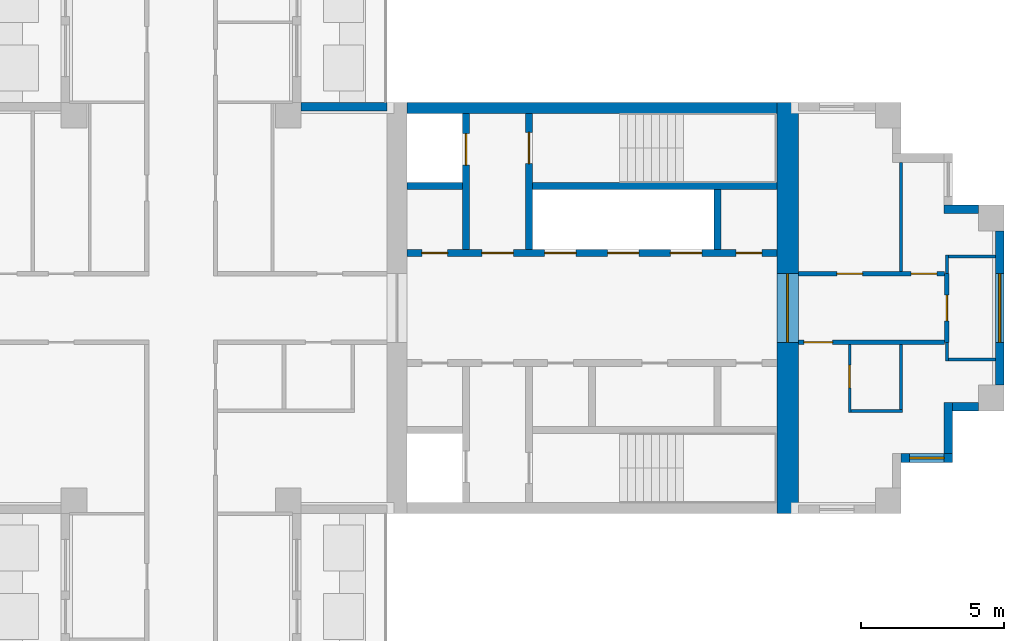
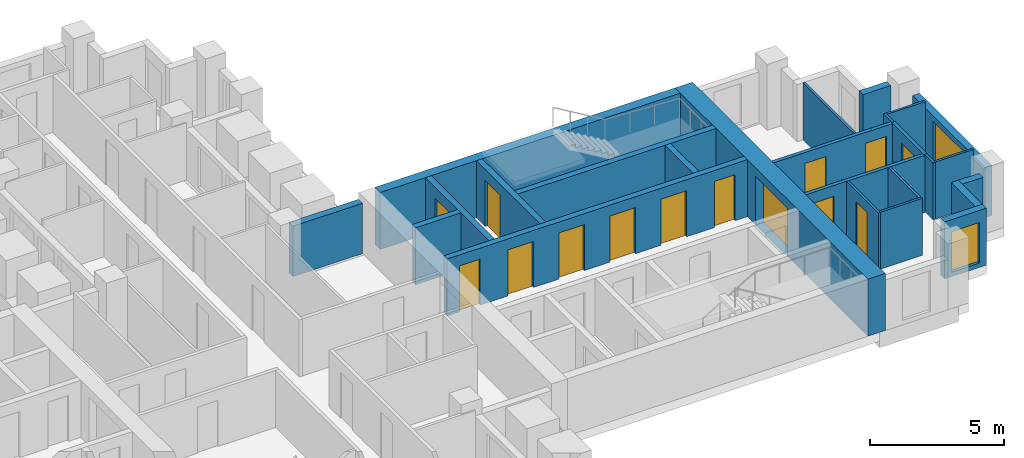
# One storey, part 6 of 10: 25 walls, 14 doors, 2 windows, 16 openings.
"""IFC4 building model written with IfcOpenShell, lengths in metres."""

from ifc_helpers import new_model, si_unit, direction, frame, frame_2d, origin, place, context, subcontext, project, spatial, rectangle, extrude, material, layer, layer_set, type_object, element, fill, save


model = new_model("IFC4")

# Units and contexts
model_context = context("Model", 3, precision=1e-05, world=origin(), true_north=direction((0.0, 1.0)))
body_context = subcontext(model_context, "Body", "Model", "MODEL_VIEW")
ifc_project = project(units=[si_unit("LENGTHUNIT", "METRE"), si_unit("AREAUNIT", "SQUARE_METRE"), si_unit("VOLUMEUNIT", "CUBIC_METRE"), si_unit("PLANEANGLEUNIT", "RADIAN"), si_unit("MASSUNIT", "GRAM", prefix="KILO")], contexts=[model_context])

# Site, building, storey
site_placement = place(None, origin())
site = spatial("IfcSite", under=ifc_project, at=site_placement, CompositionType="ELEMENT")
building_placement = place(site_placement, origin())
building = spatial("IfcBuilding", under=site, at=building_placement, Name="Fustian Cross Tower", CompositionType="ELEMENT")
storey_placement = place(building_placement, frame((0.0, 0.0, 207.89990234375)))
storey = spatial("IfcBuildingStorey", under=building, at=storey_placement, Name="L65", CompositionType="ELEMENT", Elevation=207.89990234375)

# Wall, opening, door
ifc_material_1 = material(Name="Plasterboard on steel stud", Category="steel")
ifc_layer_1 = layer(ifc_material_1, 0.14990234375)
ifc_layer_set_1 = layer_set([ifc_layer_1], Name="Plasterboard on steel stud")
wall_type_1 = type_object("IfcWallType", Name="COMPARTMENT WALL 150 EI 60", PredefinedType="PARTITIONING", material=ifc_layer_set_1)
wall_1_placement = place(storey_placement, frame((21.60009765625, -1.199951171875, 0.0), z_axis=(0.0, 0.0, 1.0), x_axis=(1.0, 0.0, 0.0)))
wall_1 = element("IfcWall", 1, at=wall_1_placement, inside=storey, type_object=wall_type_1, Name="Partition 52", PredefinedType="PARTITIONING", context=body_context, shape_type="SweptSolid", body=[
    extrude(rectangle(XDim=5.125, YDim=0.14990234375, at=frame_2d((2.5625, 0.0))), origin(), (0.0, 0.0, 1.0), 2.60009765625),
])
opening_1_placement = place(wall_1_placement, frame((0.199951171875, 0.0, 0.0)))
opening_1 = element("IfcOpeningElement", 2, at=opening_1_placement, cuts=wall_1, Name="Opening D30014", PredefinedType="OPENING", context=body_context, shape_type="SweptSolid", body=[
    extrude(rectangle(XDim=1.0, YDim=2.10009765625, at=frame_2d((0.5, 1.050048828125))), frame((0.0, 0.0849609375, 0.0), z_axis=(0.0, -1.0, 0.0), x_axis=(1.0, 0.0, 0.0)), (0.0, 0.0, 1.0), 0.169921875),
])
ifc_material_2 = material(Name="Timber fire door set", Category="wood")
door_type_1 = type_object("IfcDoorType", Name="FIRE SWING DOOR 1000 FD30S", OperationType="SINGLE_SWING_LEFT", PredefinedType="DOOR", material=ifc_material_2)
door_1_placement = place(opening_1_placement, frame((1.0, 0.0, 0.0), z_axis=(0.0, 0.0, 1.0), x_axis=(-1.0, 0.0, 0.0)))
door_1 = element("IfcDoor", 3, at=door_1_placement, inside=storey, type_object=door_type_1, Name="Door D30014", OperationType="SINGLE_SWING_RIGHT", OverallHeight=2.10009765625, OverallWidth=1.0, PredefinedType="DOOR", context=body_context, shape_type="SweptSolid", body=[
    extrude(rectangle(XDim=1.0, YDim=2.10009765625, at=frame_2d((0.5, 1.050048828125))), frame((0.0, 0.02490234375, 0.0), z_axis=(0.0, -1.0, 0.0), x_axis=(1.0, 0.0, 0.0)), (0.0, 0.0, 1.0), 0.050048828125),
])
fill(opening_1, door_1)

# Wall, openings, doors
wall_2_placement = place(storey_placement, frame((21.60009765625, 1.199951171875, 0.0), z_axis=(0.0, 0.0, 1.0), x_axis=(1.0, 0.0, 0.0)))
wall_2 = element("IfcWall", 4, at=wall_2_placement, inside=storey, type_object=wall_type_1, Name="Partition 53", PredefinedType="PARTITIONING", context=body_context, shape_type="SweptSolid", body=[
    extrude(rectangle(XDim=5.125, YDim=0.14990234375, at=frame_2d((2.5625, 0.0))), origin(), (0.0, 0.0, 1.0), 2.60009765625),
])
opening_2_placement = place(wall_2_placement, frame((1.35009765625, 0.0, 0.0)))
opening_2 = element("IfcOpeningElement", 5, at=opening_2_placement, cuts=wall_2, Name="Opening D30011", PredefinedType="OPENING", context=body_context, shape_type="SweptSolid", body=[
    extrude(rectangle(XDim=0.89990234375, YDim=2.10009765625, at=frame_2d((0.449951171875, 1.050048828125))), frame((0.0, 0.0849609375, 0.0), z_axis=(0.0, -1.0, 0.0), x_axis=(1.0, 0.0, 0.0)), (0.0, 0.0, 1.0), 0.169921875),
])
opening_3_placement = place(wall_2_placement, frame((3.949951171875, 0.0, 0.0)))
opening_3 = element("IfcOpeningElement", 6, at=opening_3_placement, cuts=wall_2, Name="Opening D30012", PredefinedType="OPENING", context=body_context, shape_type="SweptSolid", body=[
    extrude(rectangle(XDim=0.89990234375, YDim=2.10009765625, at=frame_2d((0.449951171875, 1.050048828125))), frame((0.0, 0.0849609375, 0.0), z_axis=(0.0, -1.0, 0.0), x_axis=(1.0, 0.0, 0.0)), (0.0, 0.0, 1.0), 0.169921875),
])
ifc_material_3 = material(Name="Timber fire door set", Category="wood")
door_type_2 = type_object("IfcDoorType", Name="FIRE SWING DOOR 900 FD30S", OperationType="SINGLE_SWING_LEFT", PredefinedType="DOOR", material=ifc_material_3)
door_2_placement = place(opening_2_placement, origin())
door_2 = element("IfcDoor", 7, at=door_2_placement, inside=storey, type_object=door_type_2, Name="Door D30011", OperationType="SINGLE_SWING_LEFT", OverallHeight=2.10009765625, OverallWidth=0.89990234375, PredefinedType="DOOR", context=body_context, shape_type="SweptSolid", body=[
    extrude(rectangle(XDim=0.89990234375, YDim=2.10009765625, at=frame_2d((0.449951171875, 1.050048828125))), frame((0.0, 0.02490234375, 0.0), z_axis=(0.0, -1.0, 0.0), x_axis=(1.0, 0.0, 0.0)), (0.0, 0.0, 1.0), 0.050048828125),
])
fill(opening_2, door_2)
door_3_placement = place(opening_3_placement, origin())
door_3 = element("IfcDoor", 8, at=door_3_placement, inside=storey, type_object=door_type_2, Name="Door D30012", OperationType="SINGLE_SWING_LEFT", OverallHeight=2.10009765625, OverallWidth=0.89990234375, PredefinedType="DOOR", context=body_context, shape_type="SweptSolid", body=[
    extrude(rectangle(XDim=0.89990234375, YDim=2.10009765625, at=frame_2d((0.449951171875, 1.050048828125))), frame((0.0, 0.02490234375, 0.0), z_axis=(0.0, -1.0, 0.0), x_axis=(1.0, 0.0, 0.0)), (0.0, 0.0, 1.0), 0.050048828125),
])
fill(opening_3, door_3)

# Wall, opening, door
wall_3_placement = place(storey_placement, frame((26.800048828125, -1.199951171875, 0.0), z_axis=(0.0, 0.0, 1.0), x_axis=(0.0, 1.0, 0.0)))
wall_3 = element("IfcWall", 9, at=wall_3_placement, inside=storey, type_object=wall_type_1, Name="Partition 60", PredefinedType="PARTITIONING", context=body_context, shape_type="SweptSolid", body=[
    extrude(rectangle(XDim=2.39990234375, YDim=0.14990234375, at=frame_2d((1.199951171875, 0.0))), origin(), (0.0, 0.0, 1.0), 2.60009765625),
])
opening_4_placement = place(wall_3_placement, frame((0.75, 0.0, 0.0)))
opening_4 = element("IfcOpeningElement", 10, at=opening_4_placement, cuts=wall_3, Name="Opening D30010", PredefinedType="OPENING", context=body_context, shape_type="SweptSolid", body=[
    extrude(rectangle(XDim=0.89990234375, YDim=2.10009765625, at=frame_2d((0.449951171875, 1.050048828125))), frame((0.0, 0.0849609375, 0.0), z_axis=(0.0, -1.0, 0.0), x_axis=(1.0, 0.0, 0.0)), (0.0, 0.0, 1.0), 0.169921875),
])
door_4_placement = place(opening_4_placement, frame((0.89990234375, 0.0, 0.0), z_axis=(0.0, 0.0, 1.0), x_axis=(-1.0, 0.0, 0.0)))
door_4 = element("IfcDoor", 11, at=door_4_placement, inside=storey, type_object=door_type_2, Name="Door D30010", OperationType="SINGLE_SWING_RIGHT", OverallHeight=2.10009765625, OverallWidth=0.89990234375, PredefinedType="DOOR", context=body_context, shape_type="SweptSolid", body=[
    extrude(rectangle(XDim=0.89990234375, YDim=2.10009765625, at=frame_2d((0.449951171875, 1.050048828125))), frame((0.0, 0.02490234375, 0.0), z_axis=(0.0, -1.0, 0.0), x_axis=(1.0, 0.0, 0.0)), (0.0, 0.0, 1.0), 0.050048828125),
])
fill(opening_4, door_4)

ifc_material_4 = material(Name="Concrete C50/60", Category="concrete")
ifc_layer_2 = layer(ifc_material_4, 0.75)
ifc_layer_set_2 = layer_set([ifc_layer_2], Name="Concrete C50/60")
wall_type_2 = type_object("IfcWallType", Name="CORE END WALL 750 C50/60", PredefinedType="SHEAR", material=ifc_layer_set_2)
wall_4_placement = place(storey_placement, frame((21.22509765625, -7.199951171875, 0.0), z_axis=(0.0, 0.0, 1.0), x_axis=(0.0, 1.0, 0.0)))
wall_4 = element("IfcWall", 12, at=wall_4_placement, inside=storey, type_object=wall_type_2, Name="Core end wall", PredefinedType="SHEAR", context=body_context, shape_type="SweptSolid", body=[
    extrude(rectangle(XDim=14.39990234375, YDim=0.75, at=frame_2d((7.199951171875, 0.0))), origin(), (0.0, 0.0, 1.0), 2.60009765625),
])
opening_5_placement = place(wall_4_placement, frame((6.0, 0.0, 0.0)))
opening_5 = element("IfcOpeningElement", 13, at=opening_5_placement, cuts=wall_4, Name="Opening CD-28-13", PredefinedType="OPENING", context=body_context, shape_type="SweptSolid", body=[
    extrude(rectangle(XDim=2.39990234375, YDim=2.199951171875, at=frame_2d((1.199951171875, 1.10009765625))), frame((0.0, 0.385009765625, 0.0), z_axis=(0.0, -1.0, 0.0), x_axis=(1.0, 0.0, 0.0)), (0.0, 0.0, 1.0), 0.77001953125),
])
ifc_material_5 = material(Name="Steel", Category="steel")
door_type_3 = type_object("IfcDoorType", Name="FIRE DOOR FD30S DOUBLE 2400X2200", OperationType="DOUBLE_DOOR_DOUBLE_SWING", PredefinedType="DOOR", material=ifc_material_5)
door_5_placement = place(opening_5_placement, origin())
door_5 = element("IfcDoor", 14, at=door_5_placement, inside=storey, type_object=door_type_3, Name="Core door CD-28-13", OperationType="DOUBLE_DOOR_DOUBLE_SWING", OverallHeight=2.199951171875, OverallWidth=2.39990234375, PredefinedType="DOOR", context=body_context, shape_type="SweptSolid", body=[
    extrude(rectangle(XDim=2.39990234375, YDim=2.199951171875, at=frame_2d((1.199951171875, 1.10009765625))), frame((0.0, 0.02490234375, 0.0), z_axis=(0.0, -1.0, 0.0), x_axis=(1.0, 0.0, 0.0)), (0.0, 0.0, 1.0), 0.050048828125),
])
fill(opening_5, door_5)

# Wall
ifc_material_6 = material(Name="Concrete C50/60", Category="concrete")
ifc_layer_3 = layer(ifc_material_6, 0.39990234375)
ifc_layer_set_3 = layer_set([ifc_layer_3], Name="Concrete C50/60")
wall_type_3 = type_object("IfcWallType", Name="CORE FACADE WALL 400 C50/60", PredefinedType="SHEAR", material=ifc_layer_set_3)
wall_5_placement = place(storey_placement, frame((7.89990234375, 7.0, 0.0), z_axis=(0.0, 0.0, 1.0), x_axis=(1.0, 0.0, 0.0)))
element("IfcWall", 15, at=wall_5_placement, inside=storey, type_object=wall_type_3, Name="Core facade wall", PredefinedType="SHEAR", context=body_context, shape_type="SweptSolid", body=[
    extrude(rectangle(XDim=12.9501953125, YDim=0.39990234375, at=frame_2d((6.47509765625, 0.0))), origin(), (0.0, 0.0, 1.0), 2.60009765625),
])

# Wall, openings, doors
ifc_material_7 = material(Name="Concrete C50/60", Category="concrete")
ifc_layer_4 = layer(ifc_material_7, 0.25)
ifc_layer_set_4 = layer_set([ifc_layer_4], Name="Concrete C50/60")
wall_type_4 = type_object("IfcWallType", Name="CORE LOBBY WALL 250 C50/60", PredefinedType="SHEAR", material=ifc_layer_set_4)
wall_6_placement = place(storey_placement, frame((7.89990234375, 1.925048828125, 0.0), z_axis=(0.0, 0.0, 1.0), x_axis=(1.0, 0.0, 0.0)))
wall_6 = element("IfcWall", 16, at=wall_6_placement, inside=storey, type_object=wall_type_4, Name="Core lobby wall", PredefinedType="SHEAR", context=body_context, shape_type="SweptSolid", body=[
    extrude(rectangle(XDim=12.9501953125, YDim=0.25, at=frame_2d((6.47509765625, 0.0))), origin(), (0.0, 0.0, 1.0), 2.60009765625),
])
opening_6_placement = place(wall_6_placement, frame((4.824951171875, 0.0, 0.0)))
opening_6 = element("IfcOpeningElement", 17, at=opening_6_placement, cuts=wall_6, Name="Opening LD", PredefinedType="OPENING", context=body_context, shape_type="SweptSolid", body=[
    extrude(rectangle(XDim=1.10009765625, YDim=2.10009765625, at=frame_2d((0.550048828125, 1.050048828125))), frame((0.0, 0.135009765625, 0.0), z_axis=(0.0, -1.0, 0.0), x_axis=(1.0, 0.0, 0.0)), (0.0, 0.0, 1.0), 0.27001953125),
])
opening_7_placement = place(wall_6_placement, frame((7.02490234375, 0.0, 0.0)))
opening_7 = element("IfcOpeningElement", 18, at=opening_7_placement, cuts=wall_6, Name="Opening LD", PredefinedType="OPENING", context=body_context, shape_type="SweptSolid", body=[
    extrude(rectangle(XDim=1.10009765625, YDim=2.10009765625, at=frame_2d((0.550048828125, 1.050048828125))), frame((0.0, 0.135009765625, 0.0), z_axis=(0.0, -1.0, 0.0), x_axis=(1.0, 0.0, 0.0)), (0.0, 0.0, 1.0), 0.27001953125),
])
opening_8_placement = place(wall_6_placement, frame((9.22509765625, 0.0, 0.0)))
opening_8 = element("IfcOpeningElement", 19, at=opening_8_placement, cuts=wall_6, Name="Opening LD", PredefinedType="OPENING", context=body_context, shape_type="SweptSolid", body=[
    extrude(rectangle(XDim=1.10009765625, YDim=2.10009765625, at=frame_2d((0.550048828125, 1.050048828125))), frame((0.0, 0.135009765625, 0.0), z_axis=(0.0, -1.0, 0.0), x_axis=(1.0, 0.0, 0.0)), (0.0, 0.0, 1.0), 0.27001953125),
])
opening_9_placement = place(wall_6_placement, frame((0.52490234375, 0.0, 0.0)))
opening_9 = element("IfcOpeningElement", 20, at=opening_9_placement, cuts=wall_6, Name="Opening CD-28-08", PredefinedType="OPENING", context=body_context, shape_type="SweptSolid", body=[
    extrude(rectangle(XDim=0.89990234375, YDim=2.10009765625, at=frame_2d((0.449951171875, 1.050048828125))), frame((0.0, 0.135009765625, 0.0), z_axis=(0.0, -1.0, 0.0), x_axis=(1.0, 0.0, 0.0)), (0.0, 0.0, 1.0), 0.27001953125),
])
opening_10_placement = place(wall_6_placement, frame((2.625, 0.0, 0.0)))
opening_10 = element("IfcOpeningElement", 21, at=opening_10_placement, cuts=wall_6, Name="Opening CD-28-10", PredefinedType="OPENING", context=body_context, shape_type="SweptSolid", body=[
    extrude(rectangle(XDim=1.10009765625, YDim=2.10009765625, at=frame_2d((0.550048828125, 1.050048828125))), frame((0.0, 0.135009765625, 0.0), z_axis=(0.0, -1.0, 0.0), x_axis=(1.0, 0.0, 0.0)), (0.0, 0.0, 1.0), 0.27001953125),
])
opening_11_placement = place(wall_6_placement, frame((11.52490234375, 0.0, 0.0)))
opening_11 = element("IfcOpeningElement", 22, at=opening_11_placement, cuts=wall_6, Name="Opening CD-28-14", PredefinedType="OPENING", context=body_context, shape_type="SweptSolid", body=[
    extrude(rectangle(XDim=0.89990234375, YDim=2.10009765625, at=frame_2d((0.449951171875, 1.050048828125))), frame((0.0, 0.135009765625, 0.0), z_axis=(0.0, -1.0, 0.0), x_axis=(1.0, 0.0, 0.0)), (0.0, 0.0, 1.0), 0.27001953125),
])
ifc_material_8 = material(Name="Steel", Category="steel")
door_type_4 = type_object("IfcDoorType", Name="FIRE DOOR FD30S 900X2100", OperationType="SINGLE_SWING_LEFT", PredefinedType="DOOR", material=ifc_material_8)
door_6_placement = place(opening_11_placement, origin())
door_6 = element("IfcDoor", 23, at=door_6_placement, inside=storey, type_object=door_type_4, Name="Core door CD-28-14", OperationType="SINGLE_SWING_LEFT", OverallHeight=2.10009765625, OverallWidth=0.89990234375, PredefinedType="DOOR", context=body_context, shape_type="SweptSolid", body=[
    extrude(rectangle(XDim=0.89990234375, YDim=2.10009765625, at=frame_2d((0.449951171875, 1.050048828125))), frame((0.0, 0.02490234375, 0.0), z_axis=(0.0, -1.0, 0.0), x_axis=(1.0, 0.0, 0.0)), (0.0, 0.0, 1.0), 0.050048828125),
])
fill(opening_11, door_6)
ifc_material_9 = material(Name="Steel", Category="steel")
door_type_5 = type_object("IfcDoorType", Name="FIRE DOOR FD60S 1100X2100", OperationType="SINGLE_SWING_LEFT", PredefinedType="DOOR", material=ifc_material_9)
door_7_placement = place(opening_10_placement, frame((1.10009765625, 0.0, 0.0), z_axis=(0.0, 0.0, 1.0), x_axis=(-1.0, 0.0, 0.0)))
door_7 = element("IfcDoor", 24, at=door_7_placement, inside=storey, type_object=door_type_5, Name="Core door CD-28-10", OperationType="SINGLE_SWING_RIGHT", OverallHeight=2.10009765625, OverallWidth=1.10009765625, PredefinedType="DOOR", context=body_context, shape_type="SweptSolid", body=[
    extrude(rectangle(XDim=1.10009765625, YDim=2.10009765625, at=frame_2d((0.550048828125, 1.050048828125))), frame((0.0, 0.02490234375, 0.0), z_axis=(0.0, -1.0, 0.0), x_axis=(1.0, 0.0, 0.0)), (0.0, 0.0, 1.0), 0.050048828125),
])
fill(opening_10, door_7)
ifc_material_10 = material(Name="Steel", Category="steel")
door_type_6 = type_object("IfcDoorType", Name="FIRE DOOR FD60S 900X2100", OperationType="SINGLE_SWING_LEFT", PredefinedType="DOOR", material=ifc_material_10)
door_8_placement = place(opening_9_placement, origin())
door_8 = element("IfcDoor", 25, at=door_8_placement, inside=storey, type_object=door_type_6, Name="Core door CD-28-08", OperationType="SINGLE_SWING_LEFT", OverallHeight=2.10009765625, OverallWidth=0.89990234375, PredefinedType="DOOR", context=body_context, shape_type="SweptSolid", body=[
    extrude(rectangle(XDim=0.89990234375, YDim=2.10009765625, at=frame_2d((0.449951171875, 1.050048828125))), frame((0.0, 0.02490234375, 0.0), z_axis=(0.0, -1.0, 0.0), x_axis=(1.0, 0.0, 0.0)), (0.0, 0.0, 1.0), 0.050048828125),
])
fill(opening_9, door_8)
ifc_material_11 = material(Name="Stainless steel", Category="steel")
door_type_7 = type_object("IfcDoorType", Name="LIFT LANDING DOOR 1100X2100", OperationType="SLIDING_TO_LEFT", PredefinedType="DOOR", material=ifc_material_11)
door_9_placement = place(opening_6_placement, origin())
door_9 = element("IfcDoor", 26, at=door_9_placement, inside=storey, type_object=door_type_7, Name="Landing door HR1", OperationType="SLIDING_TO_LEFT", OverallHeight=2.10009765625, OverallWidth=1.10009765625, PredefinedType="DOOR", context=body_context, shape_type="SweptSolid", body=[
    extrude(rectangle(XDim=1.10009765625, YDim=2.10009765625, at=frame_2d((0.550048828125, 1.050048828125))), frame((0.0, 0.02490234375, 0.0), z_axis=(0.0, -1.0, 0.0), x_axis=(1.0, 0.0, 0.0)), (0.0, 0.0, 1.0), 0.050048828125),
])
fill(opening_6, door_9)
door_10_placement = place(opening_7_placement, origin())
door_10 = element("IfcDoor", 27, at=door_10_placement, inside=storey, type_object=door_type_7, Name="Landing door HR2", OperationType="SLIDING_TO_LEFT", OverallHeight=2.10009765625, OverallWidth=1.10009765625, PredefinedType="DOOR", context=body_context, shape_type="SweptSolid", body=[
    extrude(rectangle(XDim=1.10009765625, YDim=2.10009765625, at=frame_2d((0.550048828125, 1.050048828125))), frame((0.0, 0.02490234375, 0.0), z_axis=(0.0, -1.0, 0.0), x_axis=(1.0, 0.0, 0.0)), (0.0, 0.0, 1.0), 0.050048828125),
])
fill(opening_7, door_10)
door_11_placement = place(opening_8_placement, origin())
door_11 = element("IfcDoor", 28, at=door_11_placement, inside=storey, type_object=door_type_7, Name="Landing door HR3", OperationType="SLIDING_TO_LEFT", OverallHeight=2.10009765625, OverallWidth=1.10009765625, PredefinedType="DOOR", context=body_context, shape_type="SweptSolid", body=[
    extrude(rectangle(XDim=1.10009765625, YDim=2.10009765625, at=frame_2d((0.550048828125, 1.050048828125))), frame((0.0, 0.02490234375, 0.0), z_axis=(0.0, -1.0, 0.0), x_axis=(1.0, 0.0, 0.0)), (0.0, 0.0, 1.0), 0.050048828125),
])
fill(opening_8, door_11)

# Walls
ifc_material_12 = material(Name="Concrete C50/60", Category="concrete")
ifc_layer_5 = layer(ifc_material_12, 0.25)
ifc_layer_set_5 = layer_set([ifc_layer_5], Name="Concrete C50/60")
wall_type_5 = type_object("IfcWallType", Name="CORE SHAFT WALL 250 C50/60", PredefinedType="SHEAR", material=ifc_layer_set_5)
wall_7_placement = place(storey_placement, frame((7.89990234375, 4.27490234375, 0.0), z_axis=(0.0, 0.0, 1.0), x_axis=(1.0, 0.0, 0.0)))
element("IfcWall", 29, at=wall_7_placement, inside=storey, type_object=wall_type_5, Name="Core shaft wall", PredefinedType="SHEAR", context=body_context, shape_type="SweptSolid", body=[
    extrude(rectangle(XDim=1.9501953125, YDim=0.25, at=frame_2d((0.97509765625, 0.0))), origin(), (0.0, 0.0, 1.0), 2.60009765625),
])
wall_8_placement = place(storey_placement, frame((12.300048828125, 4.27490234375, 0.0), z_axis=(0.0, 0.0, 1.0), x_axis=(1.0, 0.0, 0.0)))
element("IfcWall", 30, at=wall_8_placement, inside=storey, type_object=wall_type_5, Name="Core shaft wall", PredefinedType="SHEAR", context=body_context, shape_type="SweptSolid", body=[
    extrude(rectangle(XDim=8.550048828125, YDim=0.25, at=frame_2d((4.27490234375, 0.0))), origin(), (0.0, 0.0, 1.0), 2.60009765625),
])

# Wall, opening, door
wall_9_placement = place(storey_placement, frame((9.97509765625, 2.050048828125, 0.0), z_axis=(0.0, 0.0, 1.0), x_axis=(0.0, 1.0, 0.0)))
wall_9 = element("IfcWall", 31, at=wall_9_placement, inside=storey, type_object=wall_type_5, Name="Core shaft wall", PredefinedType="SHEAR", context=body_context, shape_type="SweptSolid", body=[
    extrude(rectangle(XDim=4.75, YDim=0.25, at=frame_2d((2.375, 0.0))), origin(), (0.0, 0.0, 1.0), 2.60009765625),
])
opening_12_placement = place(wall_9_placement, frame((2.949951171875, 0.0, 0.0)))
opening_12 = element("IfcOpeningElement", 32, at=opening_12_placement, cuts=wall_9, Name="Opening LD", PredefinedType="OPENING", context=body_context, shape_type="SweptSolid", body=[
    extrude(rectangle(XDim=1.10009765625, YDim=2.10009765625, at=frame_2d((0.550048828125, 1.050048828125))), frame((0.0, 0.135009765625, 0.0), z_axis=(0.0, -1.0, 0.0), x_axis=(1.0, 0.0, 0.0)), (0.0, 0.0, 1.0), 0.27001953125),
])
door_12_placement = place(opening_12_placement, origin())
door_12 = element("IfcDoor", 33, at=door_12_placement, inside=storey, type_object=door_type_7, Name="Landing door FL1", OperationType="SLIDING_TO_LEFT", OverallHeight=2.10009765625, OverallWidth=1.10009765625, PredefinedType="DOOR", context=body_context, shape_type="SweptSolid", body=[
    extrude(rectangle(XDim=1.10009765625, YDim=2.10009765625, at=frame_2d((0.550048828125, 1.050048828125))), frame((0.0, 0.02490234375, 0.0), z_axis=(0.0, -1.0, 0.0), x_axis=(1.0, 0.0, 0.0)), (0.0, 0.0, 1.0), 0.050048828125),
])
fill(opening_12, door_12)

wall_10_placement = place(storey_placement, frame((12.175048828125, 2.050048828125, 0.0), z_axis=(0.0, 0.0, 1.0), x_axis=(0.0, 1.0, 0.0)))
wall_10 = element("IfcWall", 34, at=wall_10_placement, inside=storey, type_object=wall_type_5, Name="Core shaft wall", PredefinedType="SHEAR", context=body_context, shape_type="SweptSolid", body=[
    extrude(rectangle(XDim=4.75, YDim=0.25, at=frame_2d((2.375, 0.0))), origin(), (0.0, 0.0, 1.0), 2.60009765625),
])
opening_13_placement = place(wall_10_placement, frame((3.0, 0.0, 0.0)))
opening_13 = element("IfcOpeningElement", 35, at=opening_13_placement, cuts=wall_10, Name="Opening CD-28-06", PredefinedType="OPENING", context=body_context, shape_type="SweptSolid", body=[
    extrude(rectangle(XDim=1.10009765625, YDim=2.10009765625, at=frame_2d((0.550048828125, 1.050048828125))), frame((0.0, 0.135009765625, 0.0), z_axis=(0.0, -1.0, 0.0), x_axis=(1.0, 0.0, 0.0)), (0.0, 0.0, 1.0), 0.27001953125),
])
door_13_placement = place(opening_13_placement, frame((1.10009765625, 0.0, 0.0), z_axis=(0.0, 0.0, 1.0), x_axis=(-1.0, 0.0, 0.0)))
door_13 = element("IfcDoor", 36, at=door_13_placement, inside=storey, type_object=door_type_5, Name="Core door CD-28-06", OperationType="SINGLE_SWING_RIGHT", OverallHeight=2.10009765625, OverallWidth=1.10009765625, PredefinedType="DOOR", context=body_context, shape_type="SweptSolid", body=[
    extrude(rectangle(XDim=1.10009765625, YDim=2.10009765625, at=frame_2d((0.550048828125, 1.050048828125))), frame((0.0, 0.02490234375, 0.0), z_axis=(0.0, -1.0, 0.0), x_axis=(1.0, 0.0, 0.0)), (0.0, 0.0, 1.0), 0.050048828125),
])
fill(opening_13, door_13)

ifc_material_13 = material(Name="Plasterboard on steel stud", Category="steel")
ifc_layer_6 = layer(ifc_material_13, 0.10009765625)
ifc_layer_set_6 = layer_set([ifc_layer_6], Name="Plasterboard on steel stud")
wall_type_6 = type_object("IfcWallType", Name="PARTITION 100 STUD", PredefinedType="PARTITIONING", material=ifc_layer_set_6)
wall_11_placement = place(storey_placement, frame((23.39990234375, -3.64990234375, 0.0), z_axis=(0.0, 0.0, 1.0), x_axis=(0.0, 1.0, 0.0)))
wall_11 = element("IfcWall", 37, at=wall_11_placement, inside=storey, type_object=wall_type_6, Name="Partition 54", PredefinedType="PARTITIONING", context=body_context, shape_type="SweptSolid", body=[
    extrude(rectangle(XDim=2.375, YDim=0.10009765625, at=frame_2d((1.1875, 0.0))), origin(), (0.0, 0.0, 1.0), 2.60009765625),
])
opening_14_placement = place(wall_11_placement, frame((0.85009765625, 0.0, 0.0)))
opening_14 = element("IfcOpeningElement", 38, at=opening_14_placement, cuts=wall_11, Name="Opening D30013", PredefinedType="OPENING", context=body_context, shape_type="SweptSolid", body=[
    extrude(rectangle(XDim=0.800048828125, YDim=2.10009765625, at=frame_2d((0.39990234375, 1.050048828125))), frame((0.0, 0.06005859375, 0.0), z_axis=(0.0, -1.0, 0.0), x_axis=(1.0, 0.0, 0.0)), (0.0, 0.0, 1.0), 0.1201171875),
])
ifc_material_14 = material(Name="Painted timber", Category="wood")
door_type_8 = type_object("IfcDoorType", Name="SWING DOOR 800", OperationType="SINGLE_SWING_LEFT", PredefinedType="DOOR", material=ifc_material_14)
door_14_placement = place(opening_14_placement, frame((0.800048828125, 0.0, 0.0), z_axis=(0.0, 0.0, 1.0), x_axis=(-1.0, 0.0, 0.0)))
door_14 = element("IfcDoor", 39, at=door_14_placement, inside=storey, type_object=door_type_8, Name="Door D30013", OperationType="SINGLE_SWING_RIGHT", OverallHeight=2.10009765625, OverallWidth=0.800048828125, PredefinedType="DOOR", context=body_context, shape_type="SweptSolid", body=[
    extrude(rectangle(XDim=0.800048828125, YDim=2.10009765625, at=frame_2d((0.39990234375, 1.050048828125))), frame((0.0, 0.02490234375, 0.0), z_axis=(0.0, -1.0, 0.0), x_axis=(1.0, 0.0, 0.0)), (0.0, 0.0, 1.0), 0.050048828125),
])
fill(opening_14, door_14)

# Walls
wall_12_placement = place(storey_placement, frame((23.449951171875, -3.60009765625, 0.0), z_axis=(0.0, 0.0, 1.0), x_axis=(1.0, 0.0, 0.0)))
element("IfcWall", 40, at=wall_12_placement, inside=storey, type_object=wall_type_6, Name="Partition 55", PredefinedType="PARTITIONING", context=body_context, shape_type="SweptSolid", body=[
    extrude(rectangle(XDim=1.800048828125, YDim=0.10009765625, at=frame_2d((0.89990234375, 0.0))), origin(), (0.0, 0.0, 1.0), 2.60009765625),
])
wall_13_placement = place(storey_placement, frame((25.199951171875, -3.550048828125, 0.0), z_axis=(0.0, 0.0, 1.0), x_axis=(0.0, 1.0, 0.0)))
element("IfcWall", 41, at=wall_13_placement, inside=storey, type_object=wall_type_6, Name="Partition 56", PredefinedType="PARTITIONING", context=body_context, shape_type="SweptSolid", body=[
    extrude(rectangle(XDim=2.275146484375, YDim=0.10009765625, at=frame_2d((1.1376953125, 0.0))), origin(), (0.0, 0.0, 1.0), 2.60009765625),
])
wall_14_placement = place(storey_placement, frame((25.199951171875, 1.27490234375, 0.0), z_axis=(0.0, 0.0, 1.0), x_axis=(0.0, 1.0, 0.0)))
element("IfcWall", 42, at=wall_14_placement, inside=storey, type_object=wall_type_6, Name="Partition 57", PredefinedType="PARTITIONING", context=body_context, shape_type="SweptSolid", body=[
    extrude(rectangle(XDim=3.8251953125, YDim=0.10009765625, at=frame_2d((1.91259765625, 0.0))), origin(), (0.0, 0.0, 1.0), 2.60009765625),
])
wall_15_placement = place(storey_placement, frame((26.800048828125, -1.85009765625, 0.0), z_axis=(0.0, 0.0, 1.0), x_axis=(0.0, 1.0, 0.0)))
element("IfcWall", 43, at=wall_15_placement, inside=storey, type_object=wall_type_6, Name="Partition 58", PredefinedType="PARTITIONING", context=body_context, shape_type="SweptSolid", body=[
    extrude(rectangle(XDim=0.650146484375, YDim=0.10009765625, at=frame_2d((0.3251953125, 0.0))), origin(), (0.0, 0.0, 1.0), 2.60009765625),
])
wall_16_placement = place(storey_placement, frame((26.85009765625, -1.800048828125, 0.0), z_axis=(0.0, 0.0, 1.0), x_axis=(1.0, 0.0, 0.0)))
element("IfcWall", 44, at=wall_16_placement, inside=storey, type_object=wall_type_6, Name="Partition 59", PredefinedType="PARTITIONING", context=body_context, shape_type="SweptSolid", body=[
    extrude(rectangle(XDim=1.64990234375, YDim=0.10009765625, at=frame_2d((0.824951171875, 0.0))), origin(), (0.0, 0.0, 1.0), 2.60009765625),
])
wall_17_placement = place(storey_placement, frame((26.800048828125, 1.199951171875, 0.0), z_axis=(0.0, 0.0, 1.0), x_axis=(0.0, 1.0, 0.0)))
element("IfcWall", 45, at=wall_17_placement, inside=storey, type_object=wall_type_6, Name="Partition 61", PredefinedType="PARTITIONING", context=body_context, shape_type="SweptSolid", body=[
    extrude(rectangle(XDim=0.650146484375, YDim=0.10009765625, at=frame_2d((0.3251953125, 0.0))), origin(), (0.0, 0.0, 1.0), 2.60009765625),
])
wall_18_placement = place(storey_placement, frame((26.85009765625, 1.800048828125, 0.0), z_axis=(0.0, 0.0, 1.0), x_axis=(1.0, 0.0, 0.0)))
element("IfcWall", 46, at=wall_18_placement, inside=storey, type_object=wall_type_6, Name="Partition 62", PredefinedType="PARTITIONING", context=body_context, shape_type="SweptSolid", body=[
    extrude(rectangle(XDim=1.64990234375, YDim=0.10009765625, at=frame_2d((0.824951171875, 0.0))), origin(), (0.0, 0.0, 1.0), 2.60009765625),
])
ifc_material_15 = material(Name="Concrete C40/50", Category="concrete")
ifc_layer_7 = layer(ifc_material_15, 0.25)
ifc_layer_set_7 = layer_set([ifc_layer_7], Name="Concrete C40/50")
wall_type_7 = type_object("IfcWallType", Name="SHAFT PARTITION WALL 250 C40/50", PredefinedType="PARTITIONING", material=ifc_layer_set_7)
wall_19_placement = place(storey_placement, frame((18.77490234375, 2.050048828125, 0.0), z_axis=(0.0, 0.0, 1.0), x_axis=(0.0, 1.0, 0.0)))
element("IfcWall", 47, at=wall_19_placement, inside=storey, type_object=wall_type_7, Name="Core shaft wall", PredefinedType="PARTITIONING", context=body_context, shape_type="SweptSolid", body=[
    extrude(rectangle(XDim=2.099853515625, YDim=0.25, at=frame_2d((1.0498046875, 0.0))), origin(), (0.0, 0.0, 1.0), 2.60009765625),
])

# Wall, opening, window
ifc_material_16 = material(Name="Dark aluminium cladding on insulated backing wall", Category="aluminium")
ifc_layer_8 = layer(ifc_material_16, 0.300048828125)
ifc_layer_set_8 = layer_set([ifc_layer_8], Name="Dark aluminium cladding on insulated backing wall")
wall_type_8 = type_object("IfcWallType", Name="XW1 EXTERNAL WALL 300", PredefinedType="SOLIDWALL", material=ifc_layer_set_8)
wall_20_placement = place(storey_placement, frame((25.199951171875, -5.25, 0.0), z_axis=(0.0, 0.0, 1.0), x_axis=(1.0, 0.0, 0.0)))
wall_20 = element("IfcWall", 48, at=wall_20_placement, inside=storey, type_object=wall_type_8, Name="External wall", PredefinedType="SOLIDWALL", context=body_context, shape_type="SweptSolid", body=[
    extrude(rectangle(XDim=1.800048828125, YDim=0.300048828125, at=frame_2d((0.89990234375, 0.0))), origin(), (0.0, 0.0, 1.0), 2.60009765625),
])
opening_15_placement = place(wall_20_placement, frame((0.300048828125, 0.0, 0.199951171875)))
opening_15 = element("IfcOpeningElement", 49, at=opening_15_placement, cuts=wall_20, Name="Opening WN3", PredefinedType="OPENING", context=body_context, shape_type="SweptSolid", body=[
    extrude(rectangle(XDim=1.199951171875, YDim=1.85009765625, at=frame_2d((0.60009765625, 0.925048828125))), frame((0.0, 0.159912109375, 0.0), z_axis=(0.0, -1.0, 0.0), x_axis=(1.0, 0.0, 0.0)), (0.0, 0.0, 1.0), 0.320068359375),
])
ifc_material_17 = material(Name="Dark anodised aluminium and double glazing", Category="aluminium")
window_type_1 = type_object("IfcWindowType", Name="WN3 WINDOW 1200X1850", PartitioningType="SINGLE_PANEL", PredefinedType="WINDOW", material=ifc_material_17)
window_1_placement = place(opening_15_placement, origin())
window_1 = element("IfcWindow", 50, at=window_1_placement, inside=storey, type_object=window_type_1, Name="Window", OverallHeight=1.85009765625, OverallWidth=1.199951171875, PartitioningType="SINGLE_PANEL", PredefinedType="WINDOW", context=body_context, shape_type="SweptSolid", body=[
    extrude(rectangle(XDim=1.199951171875, YDim=1.85009765625, at=frame_2d((0.60009765625, 0.925048828125))), frame((0.0, 0.030029296875, 0.0), z_axis=(0.0, -1.0, 0.0), x_axis=(1.0, 0.0, 0.0)), (0.0, 0.0, 1.0), 0.06005859375),
])
fill(opening_15, window_1)

# Walls
wall_21_placement = place(storey_placement, frame((26.85009765625, -5.10009765625, 0.0), z_axis=(0.0, 0.0, 1.0), x_axis=(0.0, 1.0, 0.0)))
element("IfcWall", 51, at=wall_21_placement, inside=storey, type_object=wall_type_8, Name="External wall", PredefinedType="SOLIDWALL", context=body_context, shape_type="SweptSolid", body=[
    extrude(rectangle(XDim=1.800048828125, YDim=0.300048828125, at=frame_2d((0.89990234375, 0.0))), origin(), (0.0, 0.0, 1.0), 2.60009765625),
])
wall_22_placement = place(storey_placement, frame((27.0, -3.449951171875, 0.0), z_axis=(0.0, 0.0, 1.0), x_axis=(1.0, 0.0, 0.0)))
element("IfcWall", 52, at=wall_22_placement, inside=storey, type_object=wall_type_8, Name="External wall", PredefinedType="SOLIDWALL", context=body_context, shape_type="SweptSolid", body=[
    extrude(rectangle(XDim=0.89990234375, YDim=0.300048828125, at=frame_2d((0.449951171875, 0.0))), origin(), (0.0, 0.0, 1.0), 2.60009765625),
])

# Wall, opening, window
wall_23_placement = place(storey_placement, frame((28.64990234375, -2.699951171875, 0.0), z_axis=(0.0, 0.0, 1.0), x_axis=(0.0, 1.0, 0.0)))
wall_23 = element("IfcWall", 53, at=wall_23_placement, inside=storey, type_object=wall_type_8, Name="External wall", PredefinedType="SOLIDWALL", context=body_context, shape_type="SweptSolid", body=[
    extrude(rectangle(XDim=5.39990234375, YDim=0.300048828125, at=frame_2d((2.699951171875, 0.0))), origin(), (0.0, 0.0, 1.0), 2.300048828125),
])
opening_16_placement = place(wall_23_placement, frame((1.5, 0.0, 0.199951171875)))
opening_16 = element("IfcOpeningElement", 54, at=opening_16_placement, cuts=wall_23, Name="Opening WN1", PredefinedType="OPENING", context=body_context, shape_type="SweptSolid", body=[
    extrude(rectangle(XDim=2.39990234375, YDim=1.85009765625, at=frame_2d((1.199951171875, 0.925048828125))), frame((0.0, 0.159912109375, 0.0), z_axis=(0.0, -1.0, 0.0), x_axis=(1.0, 0.0, 0.0)), (0.0, 0.0, 1.0), 0.320068359375),
])
ifc_material_18 = material(Name="Dark anodised aluminium and double glazing", Category="aluminium")
window_type_2 = type_object("IfcWindowType", Name="WN1 WINDOW 2400X1850", PartitioningType="SINGLE_PANEL", PredefinedType="WINDOW", material=ifc_material_18)
window_2_placement = place(opening_16_placement, origin())
window_2 = element("IfcWindow", 55, at=window_2_placement, inside=storey, type_object=window_type_2, Name="Window", OverallHeight=1.85009765625, OverallWidth=2.39990234375, PartitioningType="SINGLE_PANEL", PredefinedType="WINDOW", context=body_context, shape_type="SweptSolid", body=[
    extrude(rectangle(XDim=2.39990234375, YDim=1.85009765625, at=frame_2d((1.199951171875, 0.925048828125))), frame((0.0, 0.030029296875, 0.0), z_axis=(0.0, -1.0, 0.0), x_axis=(1.0, 0.0, 0.0)), (0.0, 0.0, 1.0), 0.06005859375),
])
fill(opening_16, window_2)

# Walls
wall_24_placement = place(storey_placement, frame((27.89990234375, 3.449951171875, 0.0), z_axis=(0.0, 0.0, 1.0), x_axis=(-1.0, 0.0, 0.0)))
element("IfcWall", 56, at=wall_24_placement, inside=storey, type_object=wall_type_8, Name="External wall", PredefinedType="SOLIDWALL", context=body_context, shape_type="SweptSolid", body=[
    extrude(rectangle(XDim=1.199951171875, YDim=0.300048828125, at=frame_2d((0.60009765625, 0.0))), origin(), (0.0, 0.0, 1.0), 2.60009765625),
])
wall_25_placement = place(storey_placement, frame((7.199951171875, 7.050048828125, 0.0), z_axis=(0.0, 0.0, 1.0), x_axis=(-1.0, 0.0, 0.0)))
element("IfcWall", 57, at=wall_25_placement, inside=storey, type_object=wall_type_8, Name="External wall", PredefinedType="SOLIDWALL", context=body_context, shape_type="SweptSolid", body=[
    extrude(rectangle(XDim=3.0, YDim=0.300048828125, at=frame_2d((1.5, 0.0))), origin(), (0.0, 0.0, 1.0), 2.300048828125),
])

save(model, "model.ifc")
